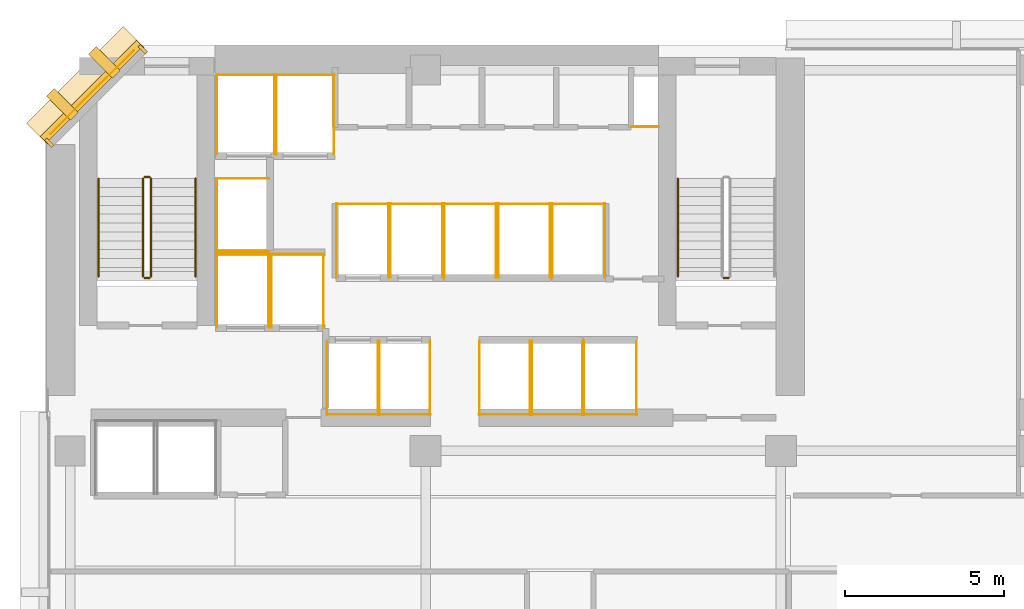
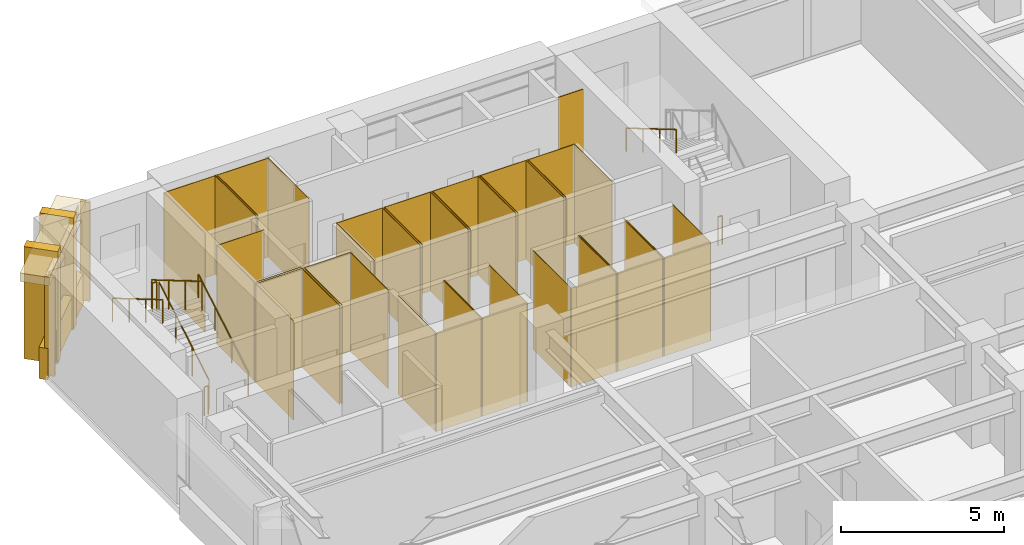
# One storey, part 12 of 14: 53 coverings, 8 railings.
"""IFC4 building model written with IfcOpenShell, lengths in metres."""

from ifc_helpers import new_model, si_unit, direction, frame, origin, origin_2d, place, context, subcontext, project, spatial, polyline, rectangle, circle, outline, extrude, material, layer, layer_set, type_object, element, save


model = new_model("IFC4")

# Units and contexts
model_context = context("Model", 3, precision=1e-05, world=origin(), true_north=direction((0.0, 1.0)))
body_context = subcontext(model_context, "Body", "Model", "MODEL_VIEW")
ifc_project = project(units=[si_unit("LENGTHUNIT", "METRE"), si_unit("AREAUNIT", "SQUARE_METRE"), si_unit("VOLUMEUNIT", "CUBIC_METRE"), si_unit("PLANEANGLEUNIT", "RADIAN"), si_unit("MASSUNIT", "GRAM", prefix="KILO")], contexts=[model_context])

# Site, building, storey
site_placement = place(None, origin())
site = spatial("IfcSite", under=ifc_project, at=site_placement, CompositionType="ELEMENT")
building_placement = place(site_placement, origin())
building = spatial("IfcBuilding", under=site, at=building_placement, Name="Kefirva Bronze Tower", CompositionType="ELEMENT")
storey_placement = place(building_placement, frame((0.0, 0.0, 66.0)))
storey = spatial("IfcBuildingStorey", under=building, at=storey_placement, Name="L15", CompositionType="ELEMENT", Elevation=66.0)

# Coverings
ifc_material_1 = material(Name="Bronze anodised aluminium", Category="aluminium")
ifc_layer_1 = layer(ifc_material_1, 0.02001953125, Name="Bronze anodised aluminium")
ifc_layer_set_1 = layer_set([ifc_layer_1], Name="Bronze anodised aluminium")
covering_type_1 = type_object("IfcCoveringType", Name="Anodised Bronze Spandrel Cladding 20mm", PredefinedType="CLADDING", material=ifc_layer_set_1)
covering_1_placement = place(storey_placement, frame((1.492919921875, 44.507080078125, 3.2900390625), z_axis=(0.0, 0.0, 1.0), x_axis=(-0.707106781187, -0.707106781187, 0.0)))
element("IfcCovering", 1, at=covering_1_placement, inside=storey, type_object=covering_type_1, Name="L15 Bronze Spandrel Cladding 9", PredefinedType="CLADDING", context=body_context, shape_type="SweptSolid", body=[
    extrude(rectangle(XDim=3.719482421875, YDim=0.02001953125, at=origin_2d()), origin(), (0.0, 0.0, 1.0), 0.39990234375),
])
for number, where, z_axis, x_axis, name in (
    (2, (3.08837890625, 45.862060546875, 0.0), (0.0, 0.0, 1.0), (-0.707106781187, -0.707106781187, 0.0), "L15 Facade Joint Closure Panel 9S"),
    (3, (0.137939453125, 42.91162109375, 0.0), (0.0, 0.0, 1.0), (-0.707106781187, -0.707106781187, 0.0), "L15 Facade Joint Closure Panel 9E"),
):
    element("IfcCovering", number, at=place(storey_placement, frame(where, z_axis=z_axis, x_axis=x_axis)), inside=storey, type_object=covering_type_1, Name=name, PredefinedType="CLADDING", context=body_context, shape_type="SweptSolid", body=[
        extrude(rectangle(XDim=0.10009765625, YDim=0.320068359375, at=origin_2d()), origin(), (0.0, 0.0, 1.0), 3.7099609375),
    ])
covering_2_placement = place(storey_placement, frame((1.4716796875, 44.5283203125, -0.16015625), z_axis=(0.0, 0.0, 1.0), x_axis=(-0.707106781187, -0.707106781187, 0.0)))
element("IfcCovering", 4, at=covering_2_placement, inside=storey, type_object=covering_type_1, Name="L15 Streamline Horizontal Spandrel Band 13", PredefinedType="CLADDING", context=body_context, shape_type="SweptSolid", body=[
    extrude(rectangle(XDim=4.28271484375, YDim=0.280029296875, at=origin_2d()), origin(), (0.0, 0.0, 1.0), 1.179931640625),
])
covering_3_placement = place(storey_placement, origin())
element("IfcCovering", 5, at=covering_3_placement, inside=storey, type_object=covering_type_1, Name="L15 Lift FF1 Hoistway Liner N", PredefinedType="CLADDING", context=body_context, shape_type="SweptSolid", body=[
    extrude(outline(polyline([(5.39990234375, 39.389892578125), (7.080078125, 39.389892578125), (7.080078125, 39.409912109375), (5.39990234375, 39.409912109375), (5.39990234375, 39.389892578125)])), origin(), (0.0, 0.0, 1.0), 3.7099609375),
])
covering_4_placement = place(storey_placement, origin())
element("IfcCovering", 6, at=covering_4_placement, inside=storey, type_object=covering_type_1, Name="L15 Lift FF1 Hoistway Liner W", PredefinedType="CLADDING", context=body_context, shape_type="SweptSolid", body=[
    extrude(outline(polyline([(5.409912109375, 37.080078125), (5.429931640625, 37.080078125), (5.429931640625, 39.419921875), (5.409912109375, 39.419921875), (5.409912109375, 37.080078125)])), origin(), (0.0, 0.0, 1.0), 3.7099609375),
])
covering_5_placement = place(storey_placement, origin())
element("IfcCovering", 7, at=covering_5_placement, inside=storey, type_object=covering_type_1, Name="L15 Lift FF1 Hoistway Liner E", PredefinedType="CLADDING", context=body_context, shape_type="SweptSolid", body=[
    extrude(outline(polyline([(7.050048828125, 37.080078125), (7.070068359375, 37.080078125), (7.070068359375, 39.419921875), (7.050048828125, 39.419921875), (7.050048828125, 37.080078125)])), origin(), (0.0, 0.0, 1.0), 3.7099609375),
])
covering_6_placement = place(storey_placement, origin())
element("IfcCovering", 8, at=covering_6_placement, inside=storey, type_object=covering_type_1, Name="L15 Lift FF2 Hoistway Liner N", PredefinedType="CLADDING", context=body_context, shape_type="SweptSolid", body=[
    extrude(outline(polyline([(7.1201171875, 39.389892578125), (8.800048828125, 39.389892578125), (8.800048828125, 39.409912109375), (7.1201171875, 39.409912109375), (7.1201171875, 39.389892578125)])), origin(), (0.0, 0.0, 1.0), 3.7099609375),
])
covering_7_placement = place(storey_placement, origin())
element("IfcCovering", 9, at=covering_7_placement, inside=storey, type_object=covering_type_1, Name="L15 Lift FF2 Hoistway Liner W", PredefinedType="CLADDING", context=body_context, shape_type="SweptSolid", body=[
    extrude(outline(polyline([(7.1298828125, 37.080078125), (7.14990234375, 37.080078125), (7.14990234375, 39.419921875), (7.1298828125, 39.419921875), (7.1298828125, 37.080078125)])), origin(), (0.0, 0.0, 1.0), 3.7099609375),
])
covering_8_placement = place(storey_placement, origin())
element("IfcCovering", 10, at=covering_8_placement, inside=storey, type_object=covering_type_1, Name="L15 Lift FF2 Hoistway Liner E", PredefinedType="CLADDING", context=body_context, shape_type="SweptSolid", body=[
    extrude(outline(polyline([(8.77001953125, 37.080078125), (8.7900390625, 37.080078125), (8.7900390625, 39.419921875), (8.77001953125, 39.419921875), (8.77001953125, 37.080078125)])), origin(), (0.0, 0.0, 1.0), 3.7099609375),
])
covering_9_placement = place(storey_placement, origin())
element("IfcCovering", 11, at=covering_9_placement, inside=storey, type_object=covering_type_1, Name="L15 Lift SV1 Hoistway Liner N", PredefinedType="CLADDING", context=body_context, shape_type="SweptSolid", body=[
    extrude(outline(polyline([(5.39990234375, 45.0400390625), (7.260009765625, 45.0400390625), (7.260009765625, 45.06005859375), (5.39990234375, 45.06005859375), (5.39990234375, 45.0400390625)])), origin(), (0.0, 0.0, 1.0), 3.7099609375),
])
covering_10_placement = place(storey_placement, origin())
element("IfcCovering", 12, at=covering_10_placement, inside=storey, type_object=covering_type_1, Name="L15 Lift SV1 Hoistway Liner W", PredefinedType="CLADDING", context=body_context, shape_type="SweptSolid", body=[
    extrude(outline(polyline([(5.409912109375, 42.530029296875), (5.429931640625, 42.530029296875), (5.429931640625, 45.070068359375), (5.409912109375, 45.070068359375), (5.409912109375, 42.530029296875)])), origin(), (0.0, 0.0, 1.0), 3.7099609375),
])
covering_11_placement = place(storey_placement, origin())
element("IfcCovering", 13, at=covering_11_placement, inside=storey, type_object=covering_type_1, Name="L15 Lift SV1 Hoistway Liner E", PredefinedType="CLADDING", context=body_context, shape_type="SweptSolid", body=[
    extrude(outline(polyline([(7.22998046875, 42.530029296875), (7.25, 42.530029296875), (7.25, 45.070068359375), (7.22998046875, 45.070068359375), (7.22998046875, 42.530029296875)])), origin(), (0.0, 0.0, 1.0), 3.7099609375),
])
covering_12_placement = place(storey_placement, origin())
element("IfcCovering", 14, at=covering_12_placement, inside=storey, type_object=covering_type_1, Name="L15 Lift SV2 Hoistway Liner N", PredefinedType="CLADDING", context=body_context, shape_type="SweptSolid", body=[
    extrude(outline(polyline([(7.280029296875, 45.0400390625), (9.139892578125, 45.0400390625), (9.139892578125, 45.06005859375), (7.280029296875, 45.06005859375), (7.280029296875, 45.0400390625)])), origin(), (0.0, 0.0, 1.0), 3.7099609375),
])
covering_13_placement = place(storey_placement, origin())
element("IfcCovering", 15, at=covering_13_placement, inside=storey, type_object=covering_type_1, Name="L15 Lift SV2 Hoistway Liner W", PredefinedType="CLADDING", context=body_context, shape_type="SweptSolid", body=[
    extrude(outline(polyline([(7.2900390625, 42.530029296875), (7.31005859375, 42.530029296875), (7.31005859375, 45.070068359375), (7.2900390625, 45.070068359375), (7.2900390625, 42.530029296875)])), origin(), (0.0, 0.0, 1.0), 3.7099609375),
])
covering_14_placement = place(storey_placement, origin())
element("IfcCovering", 16, at=covering_14_placement, inside=storey, type_object=covering_type_1, Name="L15 Lift SV2 Hoistway Liner E", PredefinedType="CLADDING", context=body_context, shape_type="SweptSolid", body=[
    extrude(outline(polyline([(9.110107421875, 42.530029296875), (9.1298828125, 42.530029296875), (9.1298828125, 45.070068359375), (9.110107421875, 45.070068359375), (9.110107421875, 42.530029296875)])), origin(), (0.0, 0.0, 1.0), 3.7099609375),
])
covering_15_placement = place(storey_placement, origin())
element("IfcCovering", 17, at=covering_15_placement, inside=storey, type_object=covering_type_1, Name="L15 Lift LP1 Hoistway Liner S", PredefinedType="CLADDING", context=body_context, shape_type="SweptSolid", body=[
    extrude(outline(polyline([(8.8798828125, 34.340087890625), (10.52001953125, 34.340087890625), (10.52001953125, 34.360107421875), (8.8798828125, 34.360107421875), (8.8798828125, 34.340087890625)])), origin(), (0.0, 0.0, 1.0), 3.7099609375),
])
covering_16_placement = place(storey_placement, origin())
element("IfcCovering", 18, at=covering_16_placement, inside=storey, type_object=covering_type_1, Name="L15 Lift LP1 Hoistway Liner W", PredefinedType="CLADDING", context=body_context, shape_type="SweptSolid", body=[
    extrude(outline(polyline([(8.889892578125, 34.330078125), (8.909912109375, 34.330078125), (8.909912109375, 36.669921875), (8.889892578125, 36.669921875), (8.889892578125, 34.330078125)])), origin(), (0.0, 0.0, 1.0), 3.7099609375),
])
covering_17_placement = place(storey_placement, origin())
element("IfcCovering", 19, at=covering_17_placement, inside=storey, type_object=covering_type_1, Name="L15 Lift LP1 Hoistway Liner E", PredefinedType="CLADDING", context=body_context, shape_type="SweptSolid", body=[
    extrude(outline(polyline([(10.489990234375, 34.330078125), (10.510009765625, 34.330078125), (10.510009765625, 36.669921875), (10.489990234375, 36.669921875), (10.489990234375, 34.330078125)])), origin(), (0.0, 0.0, 1.0), 3.7099609375),
])
covering_18_placement = place(storey_placement, origin())
element("IfcCovering", 20, at=covering_18_placement, inside=storey, type_object=covering_type_1, Name="L15 Lift LP2 Hoistway Liner S", PredefinedType="CLADDING", context=body_context, shape_type="SweptSolid", body=[
    extrude(outline(polyline([(10.52001953125, 34.340087890625), (12.159912109375, 34.340087890625), (12.159912109375, 34.360107421875), (10.52001953125, 34.360107421875), (10.52001953125, 34.340087890625)])), origin(), (0.0, 0.0, 1.0), 3.7099609375),
])
covering_19_placement = place(storey_placement, origin())
element("IfcCovering", 21, at=covering_19_placement, inside=storey, type_object=covering_type_1, Name="L15 Lift LP2 Hoistway Liner W", PredefinedType="CLADDING", context=body_context, shape_type="SweptSolid", body=[
    extrude(outline(polyline([(10.530029296875, 34.330078125), (10.550048828125, 34.330078125), (10.550048828125, 36.669921875), (10.530029296875, 36.669921875), (10.530029296875, 34.330078125)])), origin(), (0.0, 0.0, 1.0), 3.7099609375),
])
covering_20_placement = place(storey_placement, origin())
element("IfcCovering", 22, at=covering_20_placement, inside=storey, type_object=covering_type_1, Name="L15 Lift LP2 Hoistway Liner E", PredefinedType="CLADDING", context=body_context, shape_type="SweptSolid", body=[
    extrude(outline(polyline([(12.1298828125, 34.330078125), (12.14990234375, 34.330078125), (12.14990234375, 36.669921875), (12.1298828125, 36.669921875), (12.1298828125, 34.330078125)])), origin(), (0.0, 0.0, 1.0), 3.7099609375),
])
covering_21_placement = place(storey_placement, origin())
element("IfcCovering", 23, at=covering_21_placement, inside=storey, type_object=covering_type_1, Name="L15 Lift LP3 Hoistway Liner N", PredefinedType="CLADDING", context=body_context, shape_type="SweptSolid", body=[
    extrude(outline(polyline([(9.179931640625, 40.969970703125), (10.85009765625, 40.969970703125), (10.85009765625, 40.989990234375), (9.179931640625, 40.989990234375), (9.179931640625, 40.969970703125)])), origin(), (0.0, 0.0, 1.0), 3.7099609375),
])
covering_22_placement = place(storey_placement, origin())
element("IfcCovering", 24, at=covering_22_placement, inside=storey, type_object=covering_type_1, Name="L15 Lift LP3 Hoistway Liner W", PredefinedType="CLADDING", context=body_context, shape_type="SweptSolid", body=[
    extrude(outline(polyline([(9.18994140625, 38.659912109375), (9.2099609375, 38.659912109375), (9.2099609375, 41.0), (9.18994140625, 41.0), (9.18994140625, 38.659912109375)])), origin(), (0.0, 0.0, 1.0), 3.7099609375),
])
covering_23_placement = place(storey_placement, origin())
element("IfcCovering", 25, at=covering_23_placement, inside=storey, type_object=covering_type_1, Name="L15 Lift LP3 Hoistway Liner E", PredefinedType="CLADDING", context=body_context, shape_type="SweptSolid", body=[
    extrude(outline(polyline([(10.820068359375, 38.659912109375), (10.840087890625, 38.659912109375), (10.840087890625, 41.0), (10.820068359375, 41.0), (10.820068359375, 38.659912109375)])), origin(), (0.0, 0.0, 1.0), 3.7099609375),
])
covering_24_placement = place(storey_placement, origin())
element("IfcCovering", 26, at=covering_24_placement, inside=storey, type_object=covering_type_1, Name="L15 Lift LP4 Hoistway Liner N", PredefinedType="CLADDING", context=body_context, shape_type="SweptSolid", body=[
    extrude(outline(polyline([(10.8798828125, 40.969970703125), (12.550048828125, 40.969970703125), (12.550048828125, 40.989990234375), (10.8798828125, 40.989990234375), (10.8798828125, 40.969970703125)])), origin(), (0.0, 0.0, 1.0), 3.7099609375),
])
covering_25_placement = place(storey_placement, origin())
element("IfcCovering", 27, at=covering_25_placement, inside=storey, type_object=covering_type_1, Name="L15 Lift LP4 Hoistway Liner W", PredefinedType="CLADDING", context=body_context, shape_type="SweptSolid", body=[
    extrude(outline(polyline([(10.889892578125, 38.659912109375), (10.909912109375, 38.659912109375), (10.909912109375, 41.0), (10.889892578125, 41.0), (10.889892578125, 38.659912109375)])), origin(), (0.0, 0.0, 1.0), 3.7099609375),
])
covering_26_placement = place(storey_placement, origin())
element("IfcCovering", 28, at=covering_26_placement, inside=storey, type_object=covering_type_1, Name="L15 Lift LP4 Hoistway Liner E", PredefinedType="CLADDING", context=body_context, shape_type="SweptSolid", body=[
    extrude(outline(polyline([(12.52001953125, 38.659912109375), (12.5400390625, 38.659912109375), (12.5400390625, 41.0), (12.52001953125, 41.0), (12.52001953125, 38.659912109375)])), origin(), (0.0, 0.0, 1.0), 3.7099609375),
])
covering_27_placement = place(storey_placement, origin())
element("IfcCovering", 29, at=covering_27_placement, inside=storey, type_object=covering_type_1, Name="L15 Lift MP1 Hoistway Liner S", PredefinedType="CLADDING", context=body_context, shape_type="SweptSolid", body=[
    extrude(outline(polyline([(13.679931640625, 34.340087890625), (15.320068359375, 34.340087890625), (15.320068359375, 34.360107421875), (13.679931640625, 34.360107421875), (13.679931640625, 34.340087890625)])), origin(), (0.0, 0.0, 1.0), 3.7099609375),
])
covering_28_placement = place(storey_placement, origin())
element("IfcCovering", 30, at=covering_28_placement, inside=storey, type_object=covering_type_1, Name="L15 Lift MP1 Hoistway Liner W", PredefinedType="CLADDING", context=body_context, shape_type="SweptSolid", body=[
    extrude(outline(polyline([(13.68994140625, 34.330078125), (13.7099609375, 34.330078125), (13.7099609375, 36.669921875), (13.68994140625, 36.669921875), (13.68994140625, 34.330078125)])), origin(), (0.0, 0.0, 1.0), 3.7099609375),
])
covering_29_placement = place(storey_placement, origin())
element("IfcCovering", 31, at=covering_29_placement, inside=storey, type_object=covering_type_1, Name="L15 Lift MP1 Hoistway Liner E", PredefinedType="CLADDING", context=body_context, shape_type="SweptSolid", body=[
    extrude(outline(polyline([(15.2900390625, 34.330078125), (15.31005859375, 34.330078125), (15.31005859375, 36.669921875), (15.2900390625, 36.669921875), (15.2900390625, 34.330078125)])), origin(), (0.0, 0.0, 1.0), 3.7099609375),
])
covering_30_placement = place(storey_placement, origin())
element("IfcCovering", 32, at=covering_30_placement, inside=storey, type_object=covering_type_1, Name="L15 Lift MP2 Hoistway Liner S", PredefinedType="CLADDING", context=body_context, shape_type="SweptSolid", body=[
    extrude(outline(polyline([(15.330078125, 34.340087890625), (16.969970703125, 34.340087890625), (16.969970703125, 34.360107421875), (15.330078125, 34.360107421875), (15.330078125, 34.340087890625)])), origin(), (0.0, 0.0, 1.0), 3.7099609375),
])
covering_31_placement = place(storey_placement, origin())
element("IfcCovering", 33, at=covering_31_placement, inside=storey, type_object=covering_type_1, Name="L15 Lift MP2 Hoistway Liner W", PredefinedType="CLADDING", context=body_context, shape_type="SweptSolid", body=[
    extrude(outline(polyline([(15.340087890625, 34.330078125), (15.360107421875, 34.330078125), (15.360107421875, 36.669921875), (15.340087890625, 36.669921875), (15.340087890625, 34.330078125)])), origin(), (0.0, 0.0, 1.0), 3.7099609375),
])
covering_32_placement = place(storey_placement, origin())
element("IfcCovering", 34, at=covering_32_placement, inside=storey, type_object=covering_type_1, Name="L15 Lift MP2 Hoistway Liner E", PredefinedType="CLADDING", context=body_context, shape_type="SweptSolid", body=[
    extrude(outline(polyline([(16.93994140625, 34.330078125), (16.9599609375, 34.330078125), (16.9599609375, 36.669921875), (16.93994140625, 36.669921875), (16.93994140625, 34.330078125)])), origin(), (0.0, 0.0, 1.0), 3.7099609375),
])
covering_33_placement = place(storey_placement, origin())
element("IfcCovering", 35, at=covering_33_placement, inside=storey, type_object=covering_type_1, Name="L15 Lift MP3 Hoistway Liner N", PredefinedType="CLADDING", context=body_context, shape_type="SweptSolid", body=[
    extrude(outline(polyline([(12.580078125, 40.969970703125), (14.25, 40.969970703125), (14.25, 40.989990234375), (12.580078125, 40.989990234375), (12.580078125, 40.969970703125)])), origin(), (0.0, 0.0, 1.0), 3.7099609375),
])
covering_34_placement = place(storey_placement, origin())
element("IfcCovering", 36, at=covering_34_placement, inside=storey, type_object=covering_type_1, Name="L15 Lift MP3 Hoistway Liner W", PredefinedType="CLADDING", context=body_context, shape_type="SweptSolid", body=[
    extrude(outline(polyline([(12.590087890625, 38.659912109375), (12.610107421875, 38.659912109375), (12.610107421875, 41.0), (12.590087890625, 41.0), (12.590087890625, 38.659912109375)])), origin(), (0.0, 0.0, 1.0), 3.7099609375),
])
covering_35_placement = place(storey_placement, origin())
element("IfcCovering", 37, at=covering_35_placement, inside=storey, type_object=covering_type_1, Name="L15 Lift MP3 Hoistway Liner E", PredefinedType="CLADDING", context=body_context, shape_type="SweptSolid", body=[
    extrude(outline(polyline([(14.219970703125, 38.659912109375), (14.239990234375, 38.659912109375), (14.239990234375, 41.0), (14.219970703125, 41.0), (14.219970703125, 38.659912109375)])), origin(), (0.0, 0.0, 1.0), 3.7099609375),
])
covering_36_placement = place(storey_placement, origin())
element("IfcCovering", 38, at=covering_36_placement, inside=storey, type_object=covering_type_1, Name="L15 Lift MP4 Hoistway Liner N", PredefinedType="CLADDING", context=body_context, shape_type="SweptSolid", body=[
    extrude(outline(polyline([(14.280029296875, 40.969970703125), (15.949951171875, 40.969970703125), (15.949951171875, 40.989990234375), (14.280029296875, 40.989990234375), (14.280029296875, 40.969970703125)])), origin(), (0.0, 0.0, 1.0), 3.7099609375),
])
covering_37_placement = place(storey_placement, origin())
element("IfcCovering", 39, at=covering_37_placement, inside=storey, type_object=covering_type_1, Name="L15 Lift MP4 Hoistway Liner W", PredefinedType="CLADDING", context=body_context, shape_type="SweptSolid", body=[
    extrude(outline(polyline([(14.2900390625, 38.659912109375), (14.31005859375, 38.659912109375), (14.31005859375, 41.0), (14.2900390625, 41.0), (14.2900390625, 38.659912109375)])), origin(), (0.0, 0.0, 1.0), 3.7099609375),
])
covering_38_placement = place(storey_placement, origin())
element("IfcCovering", 40, at=covering_38_placement, inside=storey, type_object=covering_type_1, Name="L15 Lift MP4 Hoistway Liner E", PredefinedType="CLADDING", context=body_context, shape_type="SweptSolid", body=[
    extrude(outline(polyline([(15.919921875, 38.659912109375), (15.93994140625, 38.659912109375), (15.93994140625, 41.0), (15.919921875, 41.0), (15.919921875, 38.659912109375)])), origin(), (0.0, 0.0, 1.0), 3.7099609375),
])
covering_39_placement = place(storey_placement, origin())
element("IfcCovering", 41, at=covering_39_placement, inside=storey, type_object=covering_type_1, Name="L15 Lift HP1 Hoistway Liner S", PredefinedType="CLADDING", context=body_context, shape_type="SweptSolid", body=[
    extrude(outline(polyline([(16.97998046875, 34.340087890625), (18.669921875, 34.340087890625), (18.669921875, 34.360107421875), (16.97998046875, 34.360107421875), (16.97998046875, 34.340087890625)])), origin(), (0.0, 0.0, 1.0), 3.7099609375),
])
covering_40_placement = place(storey_placement, origin())
element("IfcCovering", 42, at=covering_40_placement, inside=storey, type_object=covering_type_1, Name="L15 Lift HP1 Hoistway Liner W", PredefinedType="CLADDING", context=body_context, shape_type="SweptSolid", body=[
    extrude(outline(polyline([(16.989990234375, 34.330078125), (17.010009765625, 34.330078125), (17.010009765625, 36.669921875), (16.989990234375, 36.669921875), (16.989990234375, 34.330078125)])), origin(), (0.0, 0.0, 1.0), 3.7099609375),
])
covering_41_placement = place(storey_placement, origin())
element("IfcCovering", 43, at=covering_41_placement, inside=storey, type_object=covering_type_1, Name="L15 Lift HP1 Hoistway Liner E", PredefinedType="CLADDING", context=body_context, shape_type="SweptSolid", body=[
    extrude(outline(polyline([(18.639892578125, 34.330078125), (18.659912109375, 34.330078125), (18.659912109375, 36.669921875), (18.639892578125, 36.669921875), (18.639892578125, 34.330078125)])), origin(), (0.0, 0.0, 1.0), 3.7099609375),
])
covering_42_placement = place(storey_placement, origin())
element("IfcCovering", 44, at=covering_42_placement, inside=storey, type_object=covering_type_1, Name="L15 Lift HP2 Hoistway Liner N", PredefinedType="CLADDING", context=body_context, shape_type="SweptSolid", body=[
    extrude(outline(polyline([(15.97998046875, 40.969970703125), (17.669921875, 40.969970703125), (17.669921875, 40.989990234375), (15.97998046875, 40.989990234375), (15.97998046875, 40.969970703125)])), origin(), (0.0, 0.0, 1.0), 3.7099609375),
])
covering_43_placement = place(storey_placement, origin())
element("IfcCovering", 45, at=covering_43_placement, inside=storey, type_object=covering_type_1, Name="L15 Lift HP2 Hoistway Liner W", PredefinedType="CLADDING", context=body_context, shape_type="SweptSolid", body=[
    extrude(outline(polyline([(15.989990234375, 38.659912109375), (16.010009765625, 38.659912109375), (16.010009765625, 41.0), (15.989990234375, 41.0), (15.989990234375, 38.659912109375)])), origin(), (0.0, 0.0, 1.0), 3.7099609375),
])
covering_44_placement = place(storey_placement, origin())
element("IfcCovering", 46, at=covering_44_placement, inside=storey, type_object=covering_type_1, Name="L15 Lift HP2 Hoistway Liner E", PredefinedType="CLADDING", context=body_context, shape_type="SweptSolid", body=[
    extrude(outline(polyline([(17.639892578125, 38.659912109375), (17.659912109375, 38.659912109375), (17.659912109375, 41.0), (17.639892578125, 41.0), (17.639892578125, 38.659912109375)])), origin(), (0.0, 0.0, 1.0), 3.7099609375),
])
covering_45_placement = place(storey_placement, origin())
element("IfcCovering", 47, at=covering_45_placement, inside=storey, type_object=covering_type_1, Name="L15 Lift HP3 Hoistway Liner N", PredefinedType="CLADDING", context=body_context, shape_type="SweptSolid", body=[
    extrude(outline(polyline([(5.39990234375, 41.77001953125), (7.080078125, 41.77001953125), (7.080078125, 41.7900390625), (5.39990234375, 41.7900390625), (5.39990234375, 41.77001953125)])), origin(), (0.0, 0.0, 1.0), 3.7099609375),
])
covering_46_placement = place(storey_placement, origin())
element("IfcCovering", 48, at=covering_46_placement, inside=storey, type_object=covering_type_1, Name="L15 Lift HP3 Hoistway Liner S", PredefinedType="CLADDING", context=body_context, shape_type="SweptSolid", body=[
    extrude(outline(polyline([(5.39990234375, 39.469970703125), (7.080078125, 39.469970703125), (7.080078125, 39.489990234375), (5.39990234375, 39.489990234375), (5.39990234375, 39.469970703125)])), origin(), (0.0, 0.0, 1.0), 3.7099609375),
])
covering_47_placement = place(storey_placement, origin())
element("IfcCovering", 49, at=covering_47_placement, inside=storey, type_object=covering_type_1, Name="L15 Lift HP3 Hoistway Liner W", PredefinedType="CLADDING", context=body_context, shape_type="SweptSolid", body=[
    extrude(outline(polyline([(5.409912109375, 39.4599609375), (5.429931640625, 39.4599609375), (5.429931640625, 41.800048828125), (5.409912109375, 41.800048828125), (5.409912109375, 39.4599609375)])), origin(), (0.0, 0.0, 1.0), 3.7099609375),
])
covering_48_placement = place(storey_placement, origin())
element("IfcCovering", 50, at=covering_48_placement, inside=storey, type_object=covering_type_1, Name="L15 Core MEP Riser Shaft Liner South", PredefinedType="CLADDING", context=body_context, shape_type="SweptSolid", body=[
    extrude(outline(polyline([(18.47998046875, 43.39990234375), (19.360107421875, 43.39990234375), (19.360107421875, 43.429931640625), (18.47998046875, 43.429931640625), (18.47998046875, 43.39990234375)])), origin(), (0.0, 0.0, 1.0), 3.7099609375),
])

# Railings
ifc_material_2 = material(Name="Stainless steel 316", Category="steel")
railing_type_1 = type_object("IfcRailingType", Name="Interior Stair Guardrail 1100mm", PredefinedType="GUARDRAIL", material=ifc_material_2)
railing_1_placement = place(storey_placement, frame((3.35009765625, 38.699951171875, 0.1650390625)))
element("IfcRailing", 51, at=railing_1_placement, inside=storey, type_object=railing_type_1, Name="L15 ST-1 stair guard 1", PredefinedType="GUARDRAIL", context=body_context, shape_type="SweptSolid", body=[
    extrude(circle(Radius=0.02392578125, at=origin_2d()), frame((0.0, 0.0, 1.076171875), z_axis=(0.0, 0.861551262678, 0.507670583921), x_axis=(-1.0, 0.0, 0.0)), (0.0, 0.0, 1.0), 3.574951171875),
    extrude(circle(Radius=0.02099609375, at=origin_2d()), origin(), (0.0, 0.0, 1.0), 1.052001953125),
    extrude(circle(Radius=0.02099609375, at=origin_2d()), frame((0.0, 1.026611328125, 0.60498046875)), (0.0, 0.0, 1.0), 1.052001953125),
    extrude(circle(Radius=0.02099609375, at=origin_2d()), frame((0.0, 2.053466796875, 1.2099609375)), (0.0, 0.0, 1.0), 1.052001953125),
    extrude(circle(Radius=0.02099609375, at=origin_2d()), frame((0.0, 3.080078125, 1.81494140625)), (0.0, 0.0, 1.0), 1.052001953125),
])
railing_2_placement = place(storey_placement, frame((3.300048828125, 41.830078125, 1.97998046875)))
element("IfcRailing", 52, at=railing_2_placement, inside=storey, type_object=railing_type_1, Name="L15 ST-1 stair guard 2", PredefinedType="GUARDRAIL", context=body_context, shape_type="SweptSolid", body=[
    extrude(circle(Radius=0.02392578125, at=origin_2d()), frame((0.0, 0.0, 1.076171875), z_axis=(-1.0, 0.0, 0.0), x_axis=(0.0, -1.0, 0.0)), (0.0, 0.0, 1.0), 0.150146484375),
    extrude(circle(Radius=0.02099609375, at=origin_2d()), origin(), (0.0, 0.0, 1.0), 1.052001953125),
    extrude(circle(Radius=0.02099609375, at=origin_2d()), frame((-0.150146484375, 0.0, 0.0)), (0.0, 0.0, 1.0), 1.052001953125),
])
railing_3_placement = place(storey_placement, frame((3.10009765625, 41.780029296875, 2.14501953125)))
element("IfcRailing", 53, at=railing_3_placement, inside=storey, type_object=railing_type_1, Name="L15 ST-1 stair guard 3", PredefinedType="GUARDRAIL", context=body_context, shape_type="SweptSolid", body=[
    extrude(circle(Radius=0.02392578125, at=origin_2d()), frame((0.0, 0.0, 1.076171875), z_axis=(0.0, -0.861551262678, 0.507670583921), x_axis=(1.0, 0.0, 0.0)), (0.0, 0.0, 1.0), 3.574951171875),
    extrude(circle(Radius=0.02099609375, at=origin_2d()), origin(), (0.0, 0.0, 1.0), 1.052001953125),
    extrude(circle(Radius=0.02099609375, at=origin_2d()), frame((0.0, -1.026611328125, 0.60498046875)), (0.0, 0.0, 1.0), 1.052001953125),
    extrude(circle(Radius=0.02099609375, at=origin_2d()), frame((0.0, -2.053466796875, 1.2099609375)), (0.0, 0.0, 1.0), 1.052001953125),
    extrude(circle(Radius=0.02099609375, at=origin_2d()), frame((0.0, -3.080078125, 1.81494140625)), (0.0, 0.0, 1.0), 1.052001953125),
])
for number, where, name in (
    (54, (3.300048828125, 38.64990234375, 0.0), "L15 ST-1 stair guard 4"),
    (55, (21.550048828125, 38.64990234375, 0.0), "L15 ST-2 stair guard 4"),
):
    element("IfcRailing", number, at=place(storey_placement, frame(where)), inside=storey, type_object=railing_type_1, Name=name, PredefinedType="GUARDRAIL", context=body_context, shape_type="SweptSolid", body=[
        extrude(circle(Radius=0.02392578125, at=origin_2d()), frame((0.0, 0.0, 1.076171875), z_axis=(-1.0, 0.0, 0.0), x_axis=(0.0, -1.0, 0.0)), (0.0, 0.0, 1.0), 0.150146484375),
        extrude(circle(Radius=0.02099609375, at=origin_2d()), origin(), (0.0, 0.0, 1.0), 1.052001953125),
        extrude(circle(Radius=0.02099609375, at=origin_2d()), frame((-0.150146484375, 0.0, 0.0)), (0.0, 0.0, 1.0), 1.052001953125),
    ])
railing_type_2 = type_object("IfcRailingType", Name="Stair Pitch Handrail 900mm", PredefinedType="HANDRAIL", material=ifc_material_2)
railing_4_placement = place(storey_placement, frame((4.75, 38.699951171875, 0.1650390625)))
element("IfcRailing", 56, at=railing_4_placement, inside=storey, type_object=railing_type_2, Name="L15 ST-1 stair handrail 1", PredefinedType="HANDRAIL", context=body_context, shape_type="SweptSolid", body=[
    extrude(circle(Radius=0.02392578125, at=origin_2d()), frame((0.0, 0.0, 0.8759765625), z_axis=(0.0, 0.861551262678, 0.507670583921), x_axis=(-1.0, 0.0, 0.0)), (0.0, 0.0, 1.0), 3.574951171875),
    extrude(circle(Radius=0.02099609375, at=origin_2d()), origin(), (0.0, 0.0, 1.0), 0.851806640625),
    extrude(circle(Radius=0.02099609375, at=origin_2d()), frame((0.0, 1.026611328125, 0.60498046875)), (0.0, 0.0, 1.0), 0.851806640625),
    extrude(circle(Radius=0.02099609375, at=origin_2d()), frame((0.0, 2.053466796875, 1.2099609375)), (0.0, 0.0, 1.0), 0.851806640625),
    extrude(circle(Radius=0.02099609375, at=origin_2d()), frame((0.0, 3.080078125, 1.81494140625)), (0.0, 0.0, 1.0), 0.851806640625),
])
for number, where, name in (
    (57, (1.699951171875, 41.780029296875, 2.14501953125), "L15 ST-1 stair handrail 2"),
    (58, (19.949951171875, 41.780029296875, 2.14501953125), "L15 ST-2 stair handrail 2"),
):
    element("IfcRailing", number, at=place(storey_placement, frame(where)), inside=storey, type_object=railing_type_2, Name=name, PredefinedType="HANDRAIL", context=body_context, shape_type="SweptSolid", body=[
        extrude(circle(Radius=0.02392578125, at=origin_2d()), frame((0.0, 0.0, 0.8759765625), z_axis=(0.0, -0.861551262678, 0.507670583921), x_axis=(1.0, 0.0, 0.0)), (0.0, 0.0, 1.0), 3.574951171875),
        extrude(circle(Radius=0.02099609375, at=origin_2d()), origin(), (0.0, 0.0, 1.0), 0.851806640625),
        extrude(circle(Radius=0.02099609375, at=origin_2d()), frame((0.0, -1.026611328125, 0.60498046875)), (0.0, 0.0, 1.0), 0.851806640625),
        extrude(circle(Radius=0.02099609375, at=origin_2d()), frame((0.0, -2.053466796875, 1.2099609375)), (0.0, 0.0, 1.0), 0.851806640625),
        extrude(circle(Radius=0.02099609375, at=origin_2d()), frame((0.0, -3.080078125, 1.81494140625)), (0.0, 0.0, 1.0), 0.851806640625),
    ])

# Coverings
ifc_layer_2 = layer(ifc_material_1, 0.179931640625, Name="Bronze anodised aluminium")
ifc_layer_set_2 = layer_set([ifc_layer_2], Name="Bronze anodised aluminium")
covering_type_2 = type_object("IfcCoveringType", Name="Streamline Bronze Sunshade Eyebrow Cladding 180mm", PredefinedType="CLADDING", material=ifc_layer_set_2)
covering_49_placement = place(storey_placement, frame((1.28076171875, 44.71923828125, 3.39013671875), z_axis=(0.0, 0.0, 1.0), x_axis=(-0.707106781187, -0.707106781187, 0.0)))
element("IfcCovering", 59, at=covering_49_placement, inside=storey, type_object=covering_type_2, Name="L15 Streamline Bronze Sunshade Eyebrow 13", PredefinedType="CLADDING", context=body_context, shape_type="SweptSolid", body=[
    extrude(rectangle(XDim=4.322509765625, YDim=0.93994140625, at=origin_2d()), origin(), (0.0, 0.0, 1.0), 0.320068359375),
])
ifc_layer_3 = layer(ifc_material_1, 0.260009765625, Name="Bronze anodised aluminium")
ifc_layer_set_3 = layer_set([ifc_layer_3], Name="Bronze anodised aluminium")
covering_type_3 = type_object("IfcCoveringType", Name="Unbroken Bronze Buttress Fin Cladding 260mm", PredefinedType="CLADDING", material=ifc_layer_set_3)
for number, where, z_axis, x_axis, name in (
    (60, (1.877197265625, 45.44287109375, -0.25), (0.0, 0.0, 1.0), (-0.707106781187, -0.707106781187, 0.0), "L15 Chamfered Corner Buttress Fin Cladding 23"),
    (61, (0.55712890625, 44.122802734375, -0.25), (0.0, 0.0, 1.0), (-0.707106781187, -0.707106781187, 0.0), "L15 Chamfered Corner Buttress Fin Cladding 24"),
):
    element("IfcCovering", number, at=place(storey_placement, frame(where, z_axis=z_axis, x_axis=x_axis)), inside=storey, type_object=covering_type_3, Name=name, PredefinedType="CLADDING", context=body_context, shape_type="SweptSolid", body=[
        extrude(rectangle(XDim=0.340087890625, YDim=1.080078125, at=origin_2d()), origin(), (0.0, 0.0, 1.0), 4.2099609375),
    ])

save(model, "model.ifc")
